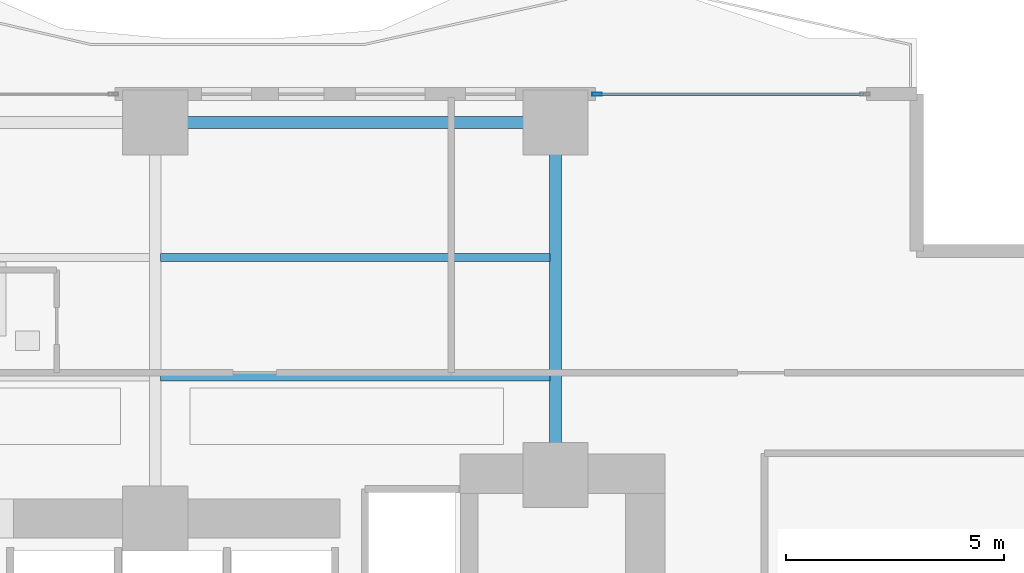
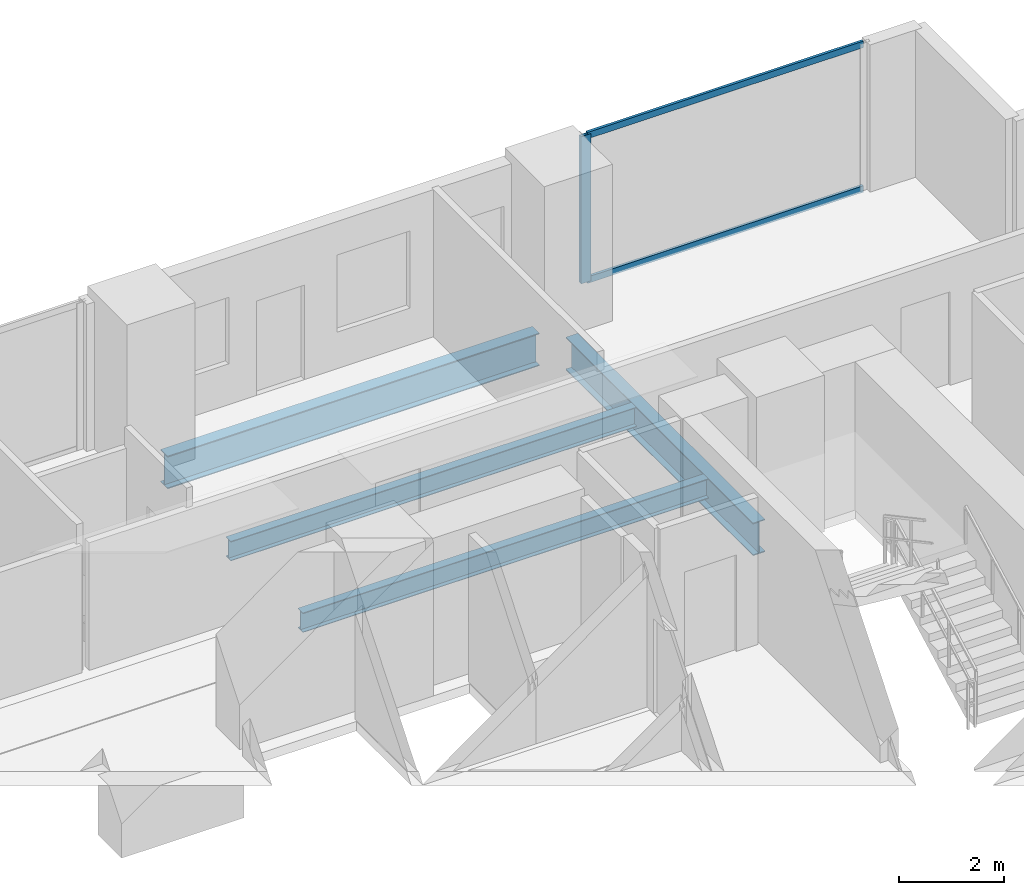
# One storey, part 16 of 28: 4 beams, 3 members, 1 element without a shape of its own.
"""IFC4 building model written with IfcOpenShell, lengths in metres."""

from ifc_helpers import new_model, si_unit, direction, frame, origin, origin_2d, place, context, subcontext, project, spatial, hollow_rectangle, i_section, extrude, material, layer, layer_set, material_profile, profile_set, type_object, element, aggregate, save


model = new_model("IFC4")

# Units and contexts
model_context = context("Model", 3, precision=1e-05, world=origin(), true_north=direction((0.0, 1.0)))
body_context = subcontext(model_context, "Body", "Model", "MODEL_VIEW")
ifc_project = project(units=[si_unit("LENGTHUNIT", "METRE"), si_unit("AREAUNIT", "SQUARE_METRE"), si_unit("VOLUMEUNIT", "CUBIC_METRE"), si_unit("PLANEANGLEUNIT", "RADIAN"), si_unit("MASSUNIT", "GRAM", prefix="KILO")], contexts=[model_context])

# Site, building, storey
site_placement = place(None, origin())
site = spatial("IfcSite", under=ifc_project, at=site_placement, CompositionType="ELEMENT")
building_placement = place(site_placement, origin())
building = spatial("IfcBuilding", under=site, at=building_placement, Name="Zuhayl Quay Hotel", CompositionType="ELEMENT")
storey_placement = place(building_placement, frame((0.0, 0.0, 71.39990234375)))
storey = spatial("IfcBuildingStorey", under=building, at=storey_placement, Name="L17", CompositionType="ELEMENT", Elevation=71.39990234375)

# Beams
ifc_material_1 = material(Name="Steel ASTM A992 Grade 50", Category="steel")
ifc_material_profile_1 = material_profile(ifc_material_1, i_section(OverallWidth=0.26708984375, OverallDepth=0.761962890625, WebThickness=0.014404296875, FlangeThickness=0.021484375, at=origin_2d()), Name="W30X116")
ifc_profile_set_1 = profile_set([ifc_material_profile_1], Name="Steel ASTM A992 Grade 50")
beam_type_1 = type_object("IfcBeamType", Name="BM_B1_W30X116", PredefinedType="BEAM", material=ifc_profile_set_1)
beam_1_placement = place(storey_placement, frame((13.300048828125, 22.449951171875, -0.600830078125), z_axis=(-1.0, 0.0, 0.0), x_axis=(0.0, -1.0, 0.0)))
element("IfcBeam", 1, at=beam_1_placement, inside=storey, type_object=beam_type_1, Name="L17 Floor Beam RG_L17_07", PredefinedType="BEAM", context=body_context, shape_type="SweptSolid", body=[
    extrude(i_section(OverallWidth=0.26708984375, OverallDepth=0.761962890625, WebThickness=0.014404296875, FlangeThickness=0.021484375, at=origin_2d()), origin(), (0.0, 0.0, 1.0), 8.199951171875),
])
beam_2_placement = place(storey_placement, frame((13.800048828125, 14.800048828125, -0.600830078125), z_axis=(0.0, 1.0, 0.0), x_axis=(-1.0, 0.0, 0.0)))
element("IfcBeam", 2, at=beam_2_placement, inside=storey, type_object=beam_type_1, Name="L17 Floor Beam FG_N_L17_4", PredefinedType="BEAM", context=body_context, shape_type="SweptSolid", body=[
    extrude(i_section(OverallWidth=0.26708984375, OverallDepth=0.761962890625, WebThickness=0.014404296875, FlangeThickness=0.021484375, at=origin_2d()), origin(), (0.0, 0.0, 1.0), 7.14990234375),
])
ifc_material_profile_2 = material_profile(ifc_material_1, i_section(OverallWidth=0.18994140625, OverallDepth=0.45703125, WebThickness=0.009033203125, FlangeThickness=0.014404296875, at=origin_2d()), Name="W18X50")
ifc_profile_set_2 = profile_set([ifc_material_profile_2], Name="Steel ASTM A992 Grade 50")
beam_type_2 = type_object("IfcBeamType", Name="BM_J2_W18X50", PredefinedType="JOIST", material=ifc_profile_set_2)
for number, where, z_axis, x_axis, name in (
    (3, (4.7255859375, 16.60009765625, -0.448486328125), (1.0, 0.0, 0.0), (0.0, 1.0, 0.0), "L17 Floor Beam FJ_L17_1_3"),
    (4, (4.7255859375, 19.35009765625, -0.448486328125), (1.0, 0.0, 0.0), (0.0, 1.0, 0.0), "L17 Floor Beam FJ_L17_2_3"),
):
    element("IfcBeam", number, at=place(storey_placement, frame(where, z_axis=z_axis, x_axis=x_axis)), inside=storey, type_object=beam_type_2, Name=name, PredefinedType="JOIST", context=body_context, shape_type="SweptSolid", body=[
        extrude(i_section(OverallWidth=0.18994140625, OverallDepth=0.45703125, WebThickness=0.009033203125, FlangeThickness=0.014404296875, at=origin_2d()), origin(), (0.0, 0.0, 1.0), 8.948974609375),
    ])

# Curtain wall, members
ifc_material_2 = material(Name="Anodised Aluminium 6063-T6", Category="aluminium")
ifc_layer = layer(ifc_material_2, 0.18994140625, Name="Anodised Aluminium 6063-T6", Category="aluminium")
ifc_layer_set = layer_set([ifc_layer], Name="Anodised Aluminium 6063-T6")
curtain_wall_type = type_object("IfcCurtainWallType", Name="CW_SYS_Z1", PredefinedType="USERDEFINED", material=ifc_layer_set)
curtain_wall_placement = place(storey_placement, origin())
curtain_wall = element("IfcCurtainWall", 5, at=curtain_wall_placement, inside=storey, type_object=curtain_wall_type, Name="L17 Curtain Wall ENV_L17_N_CW4", ObjectType="UNITISED CURTAIN WALL", PredefinedType="USERDEFINED")
ifc_material_3 = material(Name="Black-anodised aluminium 6063-T6", Category="aluminium")
ifc_material_profile_3 = material_profile(ifc_material_3, hollow_rectangle(XDim=0.074951171875, YDim=0.219970703125, WallThickness=0.00390625, at=origin_2d()), Name="ALU220X75")
ifc_profile_set_3 = profile_set([ifc_material_profile_3], Name="Black-anodised aluminium 6063-T6")
member_type_1 = type_object("IfcMemberType", Name="MB_CW_MUL_220", PredefinedType="MULLION", material=ifc_profile_set_3)
member_1_placement = place(storey_placement, frame((14.757568359375, 23.10009765625, 0.0), z_axis=(0.0, 0.0, 1.0), x_axis=(0.0, 1.0, 0.0)))
member_1 = element("IfcMember", 6, at=member_1_placement, type_object=member_type_1, Name="CW-Z1 mullion 1", PredefinedType="MULLION", context=body_context, shape_type="SweptSolid", body=[
    extrude(hollow_rectangle(XDim=0.074951171875, YDim=0.219970703125, WallThickness=0.00390625, at=origin_2d()), origin(), (0.0, 0.0, 1.0), 3.43017578125),
])
ifc_material_profile_4 = material_profile(ifc_material_3, hollow_rectangle(XDim=0.06005859375, YDim=0.14990234375, WallThickness=0.00341796875, at=origin_2d()), Name="ALU150X60")
ifc_profile_set_4 = profile_set([ifc_material_profile_4], Name="Black-anodised aluminium 6063-T6")
member_type_2 = type_object("IfcMemberType", Name="MB_CW_TRN_150", PredefinedType="USERDEFINED", material=ifc_profile_set_4)
member_2_placement = place(storey_placement, frame((14.794921875, 23.10009765625, 0.030029296875), z_axis=(1.0, 0.0, 0.0), x_axis=(0.0, 1.0, 0.0)))
member_2 = element("IfcMember", 7, at=member_2_placement, type_object=member_type_2, Name="CW-Z1 transom 1.1", ObjectType="TRANSOM", PredefinedType="USERDEFINED", context=body_context, shape_type="SweptSolid", body=[
    extrude(hollow_rectangle(XDim=0.06005859375, YDim=0.14990234375, WallThickness=0.00341796875, at=origin_2d()), origin(), (0.0, 0.0, 1.0), 6.080078125),
])
member_3_placement = place(storey_placement, frame((14.794921875, 23.10009765625, 3.400146484375), z_axis=(1.0, 0.0, 0.0), x_axis=(0.0, 1.0, 0.0)))
member_3 = element("IfcMember", 8, at=member_3_placement, type_object=member_type_2, Name="CW-Z1 transom 1.2", ObjectType="TRANSOM", PredefinedType="USERDEFINED", context=body_context, shape_type="SweptSolid", body=[
    extrude(hollow_rectangle(XDim=0.06005859375, YDim=0.14990234375, WallThickness=0.00341796875, at=origin_2d()), origin(), (0.0, 0.0, 1.0), 6.080078125),
])
aggregate(curtain_wall, [member_1, member_2, member_3])

save(model, "model.ifc")
